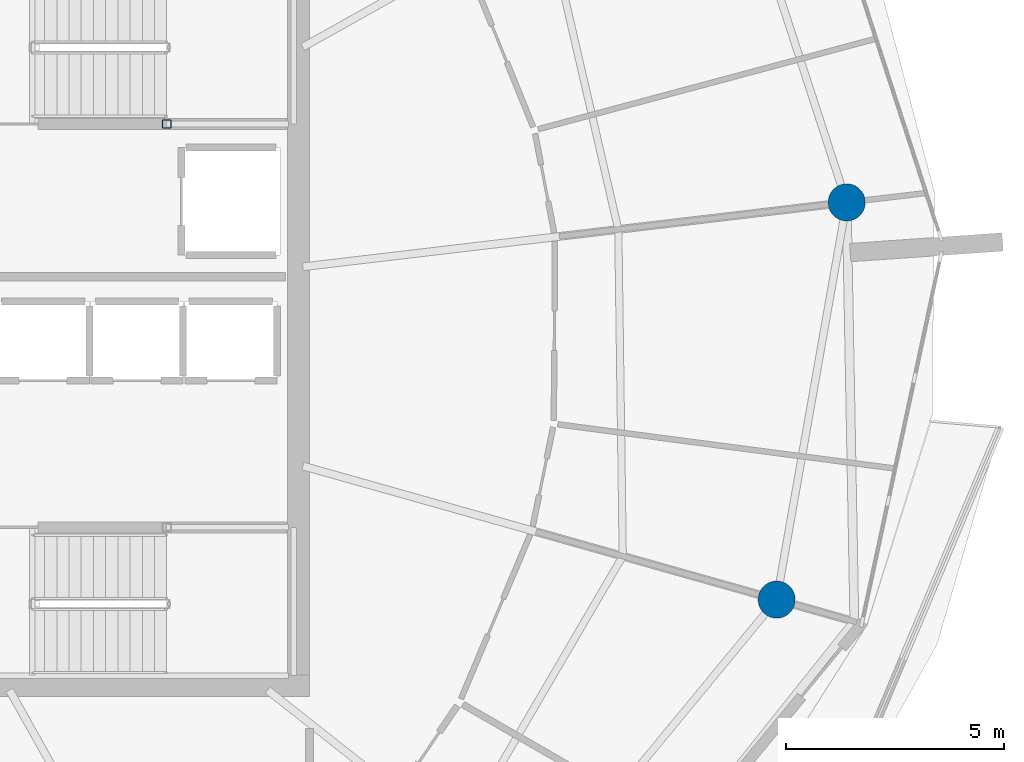
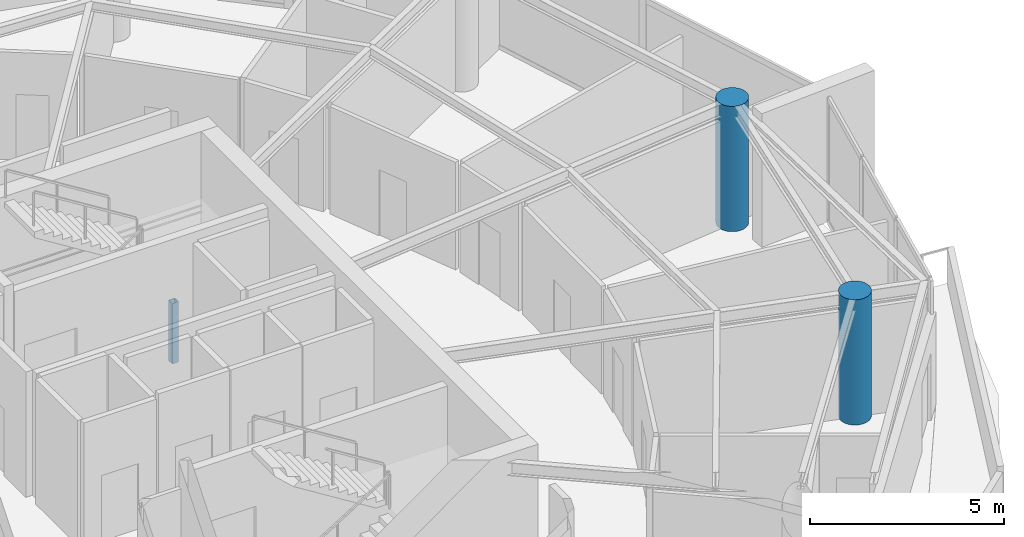
# One storey, part 3 of 22: 3 columns.
"""IFC4 building model written with IfcOpenShell, lengths in metres."""

from ifc_helpers import new_model, si_unit, direction, frame, origin, origin_2d, place, context, subcontext, project, spatial, hollow_rectangle, circle, extrude, material, material_profile, profile_set, type_object, element, save


model = new_model("IFC4")

# Units and contexts
model_context = context("Model", 3, precision=1e-05, world=origin(), true_north=direction((0.0, 1.0)))
body_context = subcontext(model_context, "Body", "Model", "MODEL_VIEW")
ifc_project = project(units=[si_unit("LENGTHUNIT", "METRE"), si_unit("AREAUNIT", "SQUARE_METRE"), si_unit("VOLUMEUNIT", "CUBIC_METRE"), si_unit("PLANEANGLEUNIT", "RADIAN"), si_unit("MASSUNIT", "GRAM", prefix="KILO")], contexts=[model_context])

# Site, building, storey
site_placement = place(None, origin())
site = spatial("IfcSite", under=ifc_project, at=site_placement, CompositionType="ELEMENT")
building_placement = place(site_placement, origin())
building = spatial("IfcBuilding", under=site, at=building_placement, Name="Kazma Halo Residences", CompositionType="ELEMENT")
storey_placement = place(building_placement, frame((0.0, 0.0, 322.10009765625)))
storey = spatial("IfcBuildingStorey", under=building, at=storey_placement, Name="L81", CompositionType="ELEMENT", Elevation=322.10009765625)

# Columns
ifc_material_1 = material(Name="Steel S355", Category="steel")
ifc_material_profile_1 = material_profile(ifc_material_1, hollow_rectangle(XDim=0.199951171875, YDim=0.199951171875, WallThickness=0.010009765625, InnerFilletRadius=0.010009765625, OuterFilletRadius=0.02001953125, at=origin_2d()), Name="SHS200x200x10")
ifc_profile_set_1 = profile_set([ifc_material_profile_1], Name="Steel S355")
column_type_1 = type_object("IfcColumnType", Name="COL-LP-SHS200", PredefinedType="COLUMN", material=ifc_profile_set_1)
column_placement = place(storey_placement, frame((56.280029296875, 46.6201171875, 0.0), z_axis=(0.0, 0.0, 1.0), x_axis=(1.0, 0.0, 0.0)))
element("IfcColumn", 1, at=column_placement, inside=storey, type_object=column_type_1, Name="L81 ST-02 landing pilaster 1", PredefinedType="COLUMN", context=body_context, shape_type="SweptSolid", body=[
    extrude(hollow_rectangle(XDim=0.199951171875, YDim=0.199951171875, WallThickness=0.010009765625, InnerFilletRadius=0.010009765625, OuterFilletRadius=0.02001953125, at=origin_2d()), origin(), (0.0, 0.0, 1.0), 1.89501953125),
])
ifc_material_2 = material(Name="Concrete C60/75", Category="concrete")
ifc_material_profile_2 = material_profile(ifc_material_2, circle(Radius=0.425048828125, at=origin_2d()), Name="CIRC850")
ifc_profile_set_2 = profile_set([ifc_material_profile_2], Name="Concrete C60/75")
column_type_2 = type_object("IfcColumnType", Name="COL-PERIM-850", PredefinedType="COLUMN", material=ifc_profile_set_2)
for number, where, z_axis, x_axis, name in (
    (2, (70.255615234375, 35.723388671875, 0.0), (0.0, 0.0, 1.0), (1.0, 0.0, 0.0), "L81 perimeter ring column P15"),
    (3, (71.8603515625, 44.82421875, 0.0), (0.0, 0.0, 1.0), (1.0, 0.0, 0.0), "L81 perimeter ring column P16"),
):
    element("IfcColumn", number, at=place(storey_placement, frame(where, z_axis=z_axis, x_axis=x_axis)), inside=storey, type_object=column_type_2, Name=name, PredefinedType="COLUMN", context=body_context, shape_type="SweptSolid", body=[
        extrude(circle(Radius=0.425048828125, at=origin_2d()), origin(), (0.0, 0.0, 1.0), 3.93994140625),
    ])

save(model, "model.ifc")
